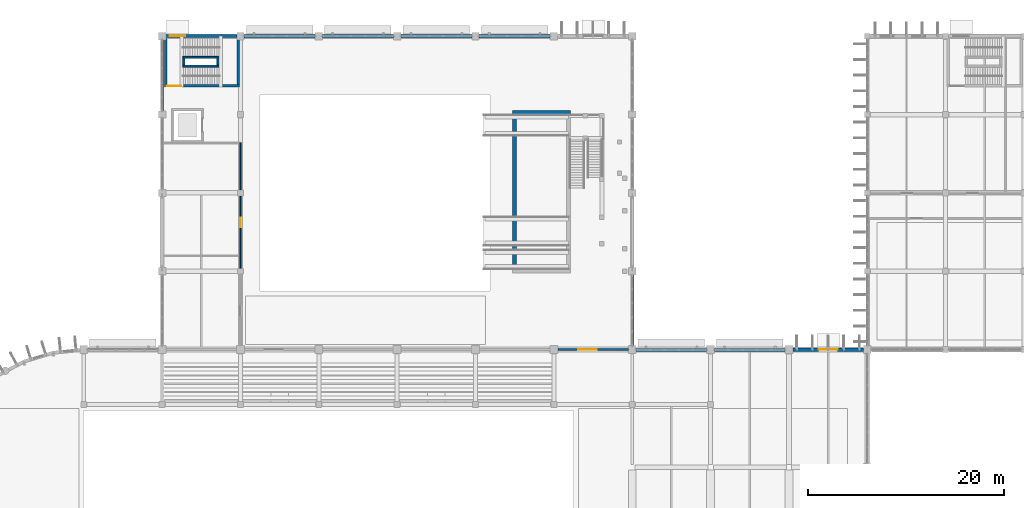
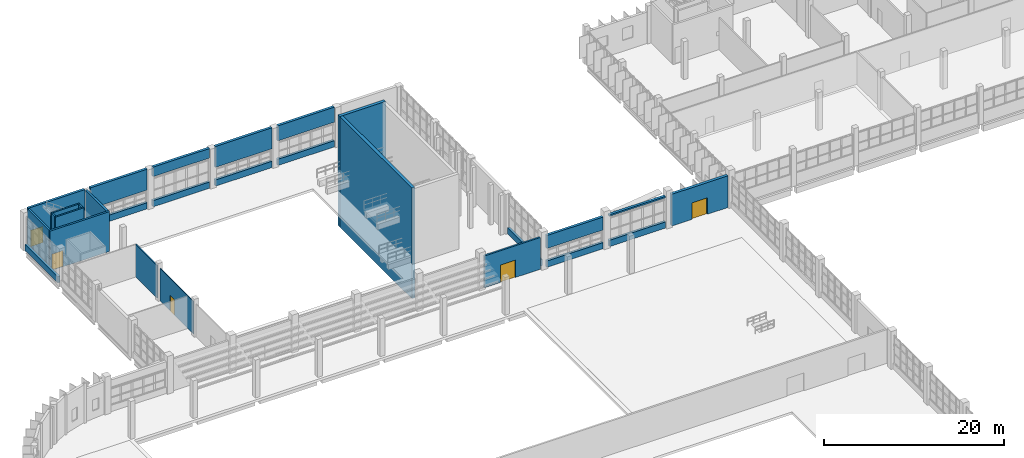
# One storey, part 77 of 103: 28 walls, 5 doors, 5 openings.
"""IFC4 building model written with IfcOpenShell, lengths in metres."""

from ifc_helpers import new_model, si_unit, direction, frame, frame_2d, origin, place, context, subcontext, project, spatial, rectangle, extrude, material, layer, layer_set, type_object, element, fill, save


model = new_model("IFC4")

# Units and contexts
model_context = context("Model", 3, precision=1e-05, world=origin(), true_north=direction((0.0, 1.0)))
body_context = subcontext(model_context, "Body", "Model", "MODEL_VIEW")
ifc_project = project(units=[si_unit("LENGTHUNIT", "METRE"), si_unit("AREAUNIT", "SQUARE_METRE"), si_unit("VOLUMEUNIT", "CUBIC_METRE"), si_unit("PLANEANGLEUNIT", "RADIAN"), si_unit("MASSUNIT", "GRAM", prefix="KILO")], contexts=[model_context])

# Site, building, storey
site_placement = place(None, origin())
site = spatial("IfcSite", under=ifc_project, at=site_placement, CompositionType="ELEMENT")
building_placement = place(site_placement, origin())
building = spatial("IfcBuilding", under=site, at=building_placement, Name="Drelvana Railside Aquatics Centre", CompositionType="ELEMENT")
storey_placement = place(building_placement, origin())
storey = spatial("IfcBuildingStorey", under=building, at=storey_placement, Name="L00", CompositionType="ELEMENT", Elevation=0.0)

# Wall, opening, door
ifc_material_1 = material(Name="Autoclaved aerated concrete masonry", Category="masonry")
ifc_layer_1 = layer(ifc_material_1, 0.22509765625, Name="Autoclaved aerated concrete masonry")
ifc_layer_set_1 = layer_set([ifc_layer_1], Name="Autoclaved aerated concrete masonry")
wall_type_1 = type_object("IfcWallType", Name="WL-COMP-225", PredefinedType="STANDARD", material=ifc_layer_set_1)
wall_1_placement = place(storey_placement, frame((64.402099609375, 84.0, 0.0), z_axis=(0.0, 0.0, 1.0), x_axis=(1.0, 0.0, 0.0)))
wall_1 = element("IfcWall", 1, at=wall_1_placement, inside=storey, type_object=wall_type_1, Name="Pool-Diving Hall compartment wall", PredefinedType="STANDARD", context=body_context, shape_type="SweptSolid", body=[
    extrude(rectangle(XDim=7.19580078125, YDim=0.22509765625, at=frame_2d((3.597900390625, 0.0))), origin(), (0.0, 0.0, 1.0), 4.304931640625),
])
opening_1_placement = place(wall_1_placement, frame((2.097900390625, 0.0, 0.0)))
opening_1 = element("IfcOpeningElement", 2, at=opening_1_placement, cuts=wall_1, Name="Opening D-16-097", PredefinedType="OPENING", context=body_context, shape_type="SweptSolid", body=[
    extrude(rectangle(XDim=1.89990234375, YDim=2.35009765625, at=frame_2d((0.949951171875, 1.175048828125))), frame((0.0, 0.12255859375, 0.0), z_axis=(0.0, -1.0, 0.0), x_axis=(1.0, 0.0, 0.0)), (0.0, 0.0, 1.0), 0.2451171875),
])
ifc_material_2 = material(Name="Concourse compartment double door", Category="wood")
door_type_1 = type_object("IfcDoorType", Name="DR-INT-COMP-1900x2350", OperationType="DOUBLE_DOOR_SINGLE_SWING", PredefinedType="DOOR", material=ifc_material_2)
door_1_placement = place(opening_1_placement, origin())
door_1 = element("IfcDoor", 3, at=door_1_placement, inside=storey, type_object=door_type_1, Name="Diving hall east link door D-16-097", OperationType="DOUBLE_DOOR_SINGLE_SWING", OverallHeight=2.35009765625, OverallWidth=1.89990234375, PredefinedType="DOOR", context=body_context, shape_type="SweptSolid", body=[
    extrude(rectangle(XDim=1.89990234375, YDim=2.35009765625, at=frame_2d((0.949951171875, 1.175048828125))), frame((0.0, 0.02490234375, 0.0), z_axis=(0.0, -1.0, 0.0), x_axis=(1.0, 0.0, 0.0)), (0.0, 0.0, 1.0), 0.050048828125),
])
fill(opening_1, door_1)

ifc_material_3 = material(Name="Concrete C40/50", Category="concrete")
ifc_layer_2 = layer(ifc_material_3, 0.25, Name="Concrete C40/50")
ifc_layer_set_2 = layer_set([ifc_layer_2], Name="Concrete C40/50")
wall_type_2 = type_object("IfcWallType", Name="WL-CORE-250", PredefinedType="SHEAR", material=ifc_layer_set_2)
wall_2_placement = place(storey_placement, frame((24.25, 110.925048828125, 0.0), z_axis=(0.0, 0.0, 1.0), x_axis=(1.0, 0.0, 0.0)))
wall_2 = element("IfcWall", 4, at=wall_2_placement, inside=storey, type_object=wall_type_2, Name="Core 3 North Diving Hall S core wall (L00)", PredefinedType="SHEAR", context=body_context, shape_type="SweptSolid", body=[
    extrude(rectangle(XDim=7.64990234375, YDim=0.25, at=frame_2d((3.824951171875, 0.0))), origin(), (0.0, 0.0, 1.0), 5.39990234375),
])
opening_2_placement = place(wall_2_placement, frame((0.25, 0.0, 0.0)))
opening_2 = element("IfcOpeningElement", 5, at=opening_2_placement, cuts=wall_2, Name="Opening D-01-018", PredefinedType="OPENING", context=body_context, shape_type="SweptSolid", body=[
    extrude(rectangle(XDim=1.449951171875, YDim=2.199951171875, at=frame_2d((0.72509765625, 1.10009765625))), frame((0.0, 0.135009765625, 0.0), z_axis=(0.0, -1.0, 0.0), x_axis=(1.0, 0.0, 0.0)), (0.0, 0.0, 1.0), 0.27001953125),
])
ifc_material_4 = material(Name="Fire-rated steel and vision-panel door", Category="steel")
door_type_2 = type_object("IfcDoorType", Name="DR-INT-STAIR-1450x2200", OperationType="DOUBLE_DOOR_SINGLE_SWING", PredefinedType="DOOR", material=ifc_material_4)
door_2_placement = place(opening_2_placement, origin())
door_2 = element("IfcDoor", 6, at=door_2_placement, inside=storey, type_object=door_type_2, Name="Stair ST-03 lobby door D-01-018", OperationType="DOUBLE_DOOR_SINGLE_SWING", OverallHeight=2.199951171875, OverallWidth=1.449951171875, PredefinedType="DOOR", context=body_context, shape_type="SweptSolid", body=[
    extrude(rectangle(XDim=1.449951171875, YDim=2.199951171875, at=frame_2d((0.72509765625, 1.10009765625))), frame((0.0, 0.02490234375, 0.0), z_axis=(0.0, -1.0, 0.0), x_axis=(1.0, 0.0, 0.0)), (0.0, 0.0, 1.0), 0.050048828125),
])
fill(opening_2, door_2)

# Walls
for number, where, z_axis, x_axis, name in (
    (7, (24.375, 111.050048828125, 0.0), (0.0, 0.0, 1.0), (0.0, 1.0, 0.0), "Core 3 North Diving Hall W core wall (L00)"),
    (8, (31.77490234375, 111.050048828125, 0.0), (0.0, 0.0, 1.0), (0.0, 1.0, 0.0), "Core 3 North Diving Hall E core wall (L00)"),
):
    element("IfcWall", number, at=place(storey_placement, frame(where, z_axis=z_axis, x_axis=x_axis)), inside=storey, type_object=wall_type_2, Name=name, PredefinedType="SHEAR", context=body_context, shape_type="SweptSolid", body=[
        extrude(rectangle(XDim=4.699951171875, YDim=0.25, at=frame_2d((2.35009765625, 0.0))), origin(), (0.0, 0.0, 1.0), 5.39990234375),
    ])

# Wall, opening, door
ifc_layer_3 = layer(ifc_material_3, 0.300048828125, Name="Concrete C40/50")
ifc_layer_set_3 = layer_set([ifc_layer_3], Name="Concrete C40/50")
wall_type_3 = type_object("IfcWallType", Name="WL-CORE-300", PredefinedType="SHEAR", material=ifc_layer_set_3)
wall_3_placement = place(storey_placement, frame((24.37109375, 116.0, 0.0), z_axis=(0.0, 0.0, 1.0), x_axis=(1.0, 0.0, 0.0)))
wall_3 = element("IfcWall", 9, at=wall_3_placement, inside=storey, type_object=wall_type_3, Name="Core 3 north L00 shear wall", PredefinedType="SHEAR", context=body_context, shape_type="SweptSolid", body=[
    extrude(rectangle(XDim=7.2578125, YDim=0.300048828125, at=frame_2d((3.62890625, 0.0))), origin(), (0.0, 0.0, 1.0), 5.39990234375),
])
opening_3_placement = place(wall_3_placement, frame((0.428955078125, 0.0, 0.0)))
opening_3 = element("IfcOpeningElement", 10, at=opening_3_placement, cuts=wall_3, Name="Opening EX-03-004", PredefinedType="OPENING", context=body_context, shape_type="SweptSolid", body=[
    extrude(rectangle(XDim=1.550048828125, YDim=2.199951171875, at=frame_2d((0.77490234375, 1.10009765625))), frame((0.0, 0.159912109375, 0.0), z_axis=(0.0, -1.0, 0.0), x_axis=(1.0, 0.0, 0.0)), (0.0, 0.0, 1.0), 0.320068359375),
])
ifc_material_5 = material(Name="Thermally broken bronze-anodised aluminium and glazed door", Category="aluminium")
door_type_3 = type_object("IfcDoorType", Name="DR-EXT-EXIT-1550x2200", OperationType="DOUBLE_DOOR_SINGLE_SWING", PredefinedType="DOOR", material=ifc_material_5)
door_3_placement = place(opening_3_placement, origin())
door_3 = element("IfcDoor", 11, at=door_3_placement, inside=storey, type_object=door_type_3, Name="Stair ST-03 final exit door EX-03-004", OperationType="DOUBLE_DOOR_SINGLE_SWING", OverallHeight=2.199951171875, OverallWidth=1.550048828125, PredefinedType="DOOR", context=body_context, shape_type="SweptSolid", body=[
    extrude(rectangle(XDim=1.550048828125, YDim=2.199951171875, at=frame_2d((0.77490234375, 1.10009765625))), frame((0.0, 0.02490234375, 0.0), z_axis=(0.0, -1.0, 0.0), x_axis=(1.0, 0.0, 0.0)), (0.0, 0.0, 1.0), 0.050048828125),
])
fill(opening_3, door_3)

ifc_material_6 = material(Name="Acoustic twin-stud gypsum partition", Category="gypsum")
ifc_layer_4 = layer(ifc_material_6, 0.1201171875, Name="Acoustic twin-stud gypsum partition")
ifc_layer_set_4 = layer_set([ifc_layer_4], Name="Acoustic twin-stud gypsum partition")
wall_type_4 = type_object("IfcWallType", Name="WL-DRY-120", PredefinedType="PARTITIONING", material=ifc_layer_set_4)
wall_4_placement = place(storey_placement, frame((32.0, 92.302001953125, 0.0), z_axis=(0.0, 0.0, 1.0), x_axis=(0.0, 1.0, 0.0)))
wall_4 = element("IfcWall", 12, at=wall_4_placement, inside=storey, type_object=wall_type_4, Name="Diving Hall west offices wall", PredefinedType="PARTITIONING", context=body_context, shape_type="SweptSolid", body=[
    extrude(rectangle(XDim=7.39599609375, YDim=0.1201171875, at=frame_2d((3.697998046875, 0.0))), origin(), (0.0, 0.0, 1.0), 4.405029296875),
])
opening_4_placement = place(wall_4_placement, frame((4.197998046875, 0.0, 0.0)))
opening_4 = element("IfcOpeningElement", 13, at=opening_4_placement, cuts=wall_4, Name="Opening D-10-135", PredefinedType="OPENING", context=body_context, shape_type="SweptSolid", body=[
    extrude(rectangle(XDim=0.949951171875, YDim=2.14990234375, at=frame_2d((0.47509765625, 1.074951171875))), frame((0.0, 0.070068359375, 0.0), z_axis=(0.0, -1.0, 0.0), x_axis=(1.0, 0.0, 0.0)), (0.0, 0.0, 1.0), 0.14013671875),
])
ifc_material_7 = material(Name="Timber veneer office door", Category="wood")
door_type_4 = type_object("IfcDoorType", Name="DR-INT-OFF-950x2150", OperationType="NOTDEFINED", PredefinedType="DOOR", material=ifc_material_7)
door_4_placement = place(opening_4_placement, origin())
door_4 = element("IfcDoor", 14, at=door_4_placement, inside=storey, type_object=door_type_4, Name="Timing and Results Control door D-10-135", OperationType="SINGLE_SWING_RIGHT", OverallHeight=2.14990234375, OverallWidth=0.949951171875, PredefinedType="DOOR", context=body_context, shape_type="SweptSolid", body=[
    extrude(rectangle(XDim=0.949951171875, YDim=2.14990234375, at=frame_2d((0.47509765625, 1.074951171875))), frame((0.0, 0.02490234375, 0.0), z_axis=(0.0, -1.0, 0.0), x_axis=(1.0, 0.0, 0.0)), (0.0, 0.0, 1.0), 0.050048828125),
])
fill(opening_4, door_4)

# Walls
wall_5_placement = place(storey_placement, frame((32.0, 100.302001953125, 0.0), z_axis=(0.0, 0.0, 1.0), x_axis=(0.0, 1.0, 0.0)))
element("IfcWall", 15, at=wall_5_placement, inside=storey, type_object=wall_type_4, Name="Diving Hall west offices wall", PredefinedType="PARTITIONING", context=body_context, shape_type="SweptSolid", body=[
    extrude(rectangle(XDim=4.798095703125, YDim=0.1201171875, at=frame_2d((2.39892578125, 0.0))), origin(), (0.0, 0.0, 1.0), 4.405029296875),
])
ifc_layer_5 = layer(ifc_material_3, 0.39990234375, Name="Concrete C40/50")
ifc_layer_set_5 = layer_set([ifc_layer_5], Name="Concrete C40/50")
wall_type_5 = type_object("IfcWallType", Name="WL-DV-400", PredefinedType="SHEAR", material=ifc_layer_set_5)
wall_6_placement = place(storey_placement, frame((60.0, 92.0, -4.800048828125), z_axis=(0.0, 0.0, 1.0), x_axis=(0.0, 1.0, 0.0)))
element("IfcWall", 16, at=wall_6_placement, inside=storey, type_object=wall_type_5, Name="Diving platform tower W shear wall", PredefinedType="SHEAR", context=body_context, shape_type="SweptSolid", body=[
    extrude(rectangle(XDim=16.199951171875, YDim=0.39990234375, at=frame_2d((8.10009765625, 0.0))), origin(), (0.0, 0.0, 1.0), 15.0),
])
wall_7_placement = place(storey_placement, frame((59.800048828125, 108.199951171875, -4.800048828125), z_axis=(0.0, 0.0, 1.0), x_axis=(1.0, 0.0, 0.0)))
element("IfcWall", 17, at=wall_7_placement, inside=storey, type_object=wall_type_5, Name="Diving platform tower N shear wall", PredefinedType="SHEAR", context=body_context, shape_type="SweptSolid", body=[
    extrude(rectangle(XDim=5.89990234375, YDim=0.39990234375, at=frame_2d((2.949951171875, 0.0))), origin(), (0.0, 0.0, 1.0), 15.0),
])
ifc_material_8 = material(Name="Terracotta rainscreen masonry wall", Category="masonry")
ifc_layer_6 = layer(ifc_material_8, 0.31005859375, Name="Terracotta rainscreen masonry wall")
ifc_layer_set_6 = layer_set([ifc_layer_6], Name="Terracotta rainscreen masonry wall")
wall_type_6 = type_object("IfcWallType", Name="WL-EXT-310", PredefinedType="STANDARD", material=ifc_layer_set_6)
wall_8_placement = place(storey_placement, frame((24.0, 108.37109375, 0.0), z_axis=(0.0, 0.0, 1.0), x_axis=(0.0, 1.0, 0.0)))
element("IfcWall", 18, at=wall_8_placement, inside=storey, type_object=wall_type_6, Name="Diving Hall West plinth", PredefinedType="STANDARD", context=body_context, shape_type="SweptSolid", body=[
    extrude(rectangle(XDim=7.2578125, YDim=0.31005859375, at=frame_2d((3.62890625, 0.0))), origin(), (0.0, 0.0, 1.0), 0.85009765625),
])
wall_9_placement = place(storey_placement, frame((72.0, 84.39599609375, 0.0), z_axis=(0.0, 0.0, 1.0), x_axis=(0.0, 1.0, 0.0)))
element("IfcWall", 19, at=wall_9_placement, inside=storey, type_object=wall_type_6, Name="Diving Hall East plinth", PredefinedType="STANDARD", context=body_context, shape_type="SweptSolid", body=[
    extrude(rectangle(XDim=7.23291015625, YDim=0.31005859375, at=frame_2d((3.616455078125, 0.0))), origin(), (0.0, 0.0, 1.0), 0.85009765625),
])
ifc_material_9 = material(Name="Abuja granite ashlar cavity wall", Category="masonry")
ifc_layer_7 = layer(ifc_material_9, 0.330078125, Name="Abuja granite ashlar cavity wall")
ifc_layer_set_7 = layer_set([ifc_layer_7], Name="Abuja granite ashlar cavity wall")
wall_type_7 = type_object("IfcWallType", Name="WL-EXT-330", PredefinedType="STANDARD", material=ifc_layer_set_7)
wall_10_placement = place(storey_placement, frame((72.39599609375, 84.0, 0.0), z_axis=(0.0, 0.0, 1.0), x_axis=(1.0, 0.0, 0.0)))
element("IfcWall", 20, at=wall_10_placement, inside=storey, type_object=wall_type_7, Name="V1N plinth wall 2", PredefinedType="STANDARD", context=body_context, shape_type="SweptSolid", body=[
    extrude(rectangle(XDim=7.2080078125, YDim=0.330078125, at=frame_2d((3.60400390625, 0.0))), origin(), (0.0, 0.0, 1.0), 0.85009765625),
])
wall_11_placement = place(storey_placement, frame((72.39599609375, 84.0, 2.550048828125), z_axis=(0.0, 0.0, 1.0), x_axis=(1.0, 0.0, 0.0)))
element("IfcWall", 21, at=wall_11_placement, inside=storey, type_object=wall_type_7, Name="V1N sine-wave spandrel 2", PredefinedType="STANDARD", context=body_context, shape_type="SweptSolid", body=[
    extrude(rectangle(XDim=7.2080078125, YDim=0.330078125, at=frame_2d((3.60400390625, 0.0))), origin(), (0.0, 0.0, 1.0), 1.7548828125),
])
wall_12_placement = place(storey_placement, frame((80.39599609375, 84.0, 0.0), z_axis=(0.0, 0.0, 1.0), x_axis=(1.0, 0.0, 0.0)))
element("IfcWall", 22, at=wall_12_placement, inside=storey, type_object=wall_type_7, Name="V1N plinth wall 3", PredefinedType="STANDARD", context=body_context, shape_type="SweptSolid", body=[
    extrude(rectangle(XDim=7.2080078125, YDim=0.330078125, at=frame_2d((3.60400390625, 0.0))), origin(), (0.0, 0.0, 1.0), 0.85009765625),
])
wall_13_placement = place(storey_placement, frame((80.39599609375, 84.0, 4.10009765625), z_axis=(0.0, 0.0, 1.0), x_axis=(1.0, 0.0, 0.0)))
element("IfcWall", 23, at=wall_13_placement, inside=storey, type_object=wall_type_7, Name="V1N sine-wave spandrel 3", PredefinedType="STANDARD", context=body_context, shape_type="SweptSolid", body=[
    extrude(rectangle(XDim=7.2080078125, YDim=0.330078125, at=frame_2d((3.60400390625, 0.0))), origin(), (0.0, 0.0, 1.0), 0.204833984375),
])
wall_14_placement = place(storey_placement, frame((32.37109375, 116.0, 0.0), z_axis=(0.0, 0.0, 1.0), x_axis=(1.0, 0.0, 0.0)))
element("IfcWall", 24, at=wall_14_placement, inside=storey, type_object=wall_type_7, Name="V2N plinth wall 6", PredefinedType="STANDARD", context=body_context, shape_type="SweptSolid", body=[
    extrude(rectangle(XDim=7.2578125, YDim=0.330078125, at=frame_2d((3.62890625, 0.0))), origin(), (0.0, 0.0, 1.0), 0.85009765625),
])
wall_15_placement = place(storey_placement, frame((32.37109375, 116.0, 2.550048828125), z_axis=(0.0, 0.0, 1.0), x_axis=(1.0, 0.0, 0.0)))
element("IfcWall", 25, at=wall_15_placement, inside=storey, type_object=wall_type_7, Name="V2N sine-wave spandrel 6", PredefinedType="STANDARD", context=body_context, shape_type="SweptSolid", body=[
    extrude(rectangle(XDim=7.2578125, YDim=0.330078125, at=frame_2d((3.62890625, 0.0))), origin(), (0.0, 0.0, 1.0), 2.83984375),
])
wall_16_placement = place(storey_placement, frame((40.37109375, 116.0, 0.0), z_axis=(0.0, 0.0, 1.0), x_axis=(1.0, 0.0, 0.0)))
element("IfcWall", 26, at=wall_16_placement, inside=storey, type_object=wall_type_7, Name="V2N plinth wall 7", PredefinedType="STANDARD", context=body_context, shape_type="SweptSolid", body=[
    extrude(rectangle(XDim=7.2578125, YDim=0.330078125, at=frame_2d((3.62890625, 0.0))), origin(), (0.0, 0.0, 1.0), 0.85009765625),
])
wall_17_placement = place(storey_placement, frame((40.37109375, 116.0, 4.10009765625), z_axis=(0.0, 0.0, 1.0), x_axis=(1.0, 0.0, 0.0)))
element("IfcWall", 27, at=wall_17_placement, inside=storey, type_object=wall_type_7, Name="V2N sine-wave spandrel 7", PredefinedType="STANDARD", context=body_context, shape_type="SweptSolid", body=[
    extrude(rectangle(XDim=7.2578125, YDim=0.330078125, at=frame_2d((3.62890625, 0.0))), origin(), (0.0, 0.0, 1.0), 1.289794921875),
])
wall_18_placement = place(storey_placement, frame((48.37109375, 116.0, 0.0), z_axis=(0.0, 0.0, 1.0), x_axis=(1.0, 0.0, 0.0)))
element("IfcWall", 28, at=wall_18_placement, inside=storey, type_object=wall_type_7, Name="V2N plinth wall 8", PredefinedType="STANDARD", context=body_context, shape_type="SweptSolid", body=[
    extrude(rectangle(XDim=7.2578125, YDim=0.330078125, at=frame_2d((3.62890625, 0.0))), origin(), (0.0, 0.0, 1.0), 0.85009765625),
])
wall_19_placement = place(storey_placement, frame((48.37109375, 116.0, 2.555908203125), z_axis=(0.0, 0.0, 1.0), x_axis=(1.0, 0.0, 0.0)))
element("IfcWall", 29, at=wall_19_placement, inside=storey, type_object=wall_type_7, Name="V2N sine-wave spandrel 8", PredefinedType="STANDARD", context=body_context, shape_type="SweptSolid", body=[
    extrude(rectangle(XDim=7.2578125, YDim=0.330078125, at=frame_2d((3.62890625, 0.0))), origin(), (0.0, 0.0, 1.0), 2.833984375),
])
wall_20_placement = place(storey_placement, frame((56.37109375, 116.0, 0.0), z_axis=(0.0, 0.0, 1.0), x_axis=(1.0, 0.0, 0.0)))
element("IfcWall", 30, at=wall_20_placement, inside=storey, type_object=wall_type_7, Name="V2N plinth wall 9", PredefinedType="STANDARD", context=body_context, shape_type="SweptSolid", body=[
    extrude(rectangle(XDim=7.2578125, YDim=0.330078125, at=frame_2d((3.62890625, 0.0))), origin(), (0.0, 0.0, 1.0), 0.85009765625),
])
wall_21_placement = place(storey_placement, frame((56.37109375, 116.0, 3.35009765625), z_axis=(0.0, 0.0, 1.0), x_axis=(1.0, 0.0, 0.0)))
element("IfcWall", 31, at=wall_21_placement, inside=storey, type_object=wall_type_7, Name="V2N sine-wave spandrel 9", PredefinedType="STANDARD", context=body_context, shape_type="SweptSolid", body=[
    extrude(rectangle(XDim=7.2578125, YDim=0.330078125, at=frame_2d((3.62890625, 0.0))), origin(), (0.0, 0.0, 1.0), 2.039794921875),
])

# Wall, opening, door
ifc_material_10 = material(Name="Polychrome brick and stone cavity wall", Category="masonry")
ifc_layer_8 = layer(ifc_material_10, 0.360107421875, Name="Polychrome brick and stone cavity wall")
ifc_layer_set_8 = layer_set([ifc_layer_8], Name="Polychrome brick and stone cavity wall")
wall_type_8 = type_object("IfcWallType", Name="WL-EXT-360", PredefinedType="STANDARD", material=ifc_layer_set_8)
wall_22_placement = place(storey_placement, frame((88.39599609375, 84.0, 0.0), z_axis=(0.0, 0.0, 1.0), x_axis=(1.0, 0.0, 0.0)))
wall_22 = element("IfcWall", 32, at=wall_22_placement, inside=storey, type_object=wall_type_8, Name="V1N exit bay wall 4", PredefinedType="STANDARD", context=body_context, shape_type="SweptSolid", body=[
    extrude(rectangle(XDim=7.2080078125, YDim=0.360107421875, at=frame_2d((3.60400390625, 0.0))), origin(), (0.0, 0.0, 1.0), 4.304931640625),
])
opening_5_placement = place(wall_22_placement, frame((2.62890625, 0.0, 0.0)))
opening_5 = element("IfcOpeningElement", 33, at=opening_5_placement, cuts=wall_22, Name="Opening EX-04-003", PredefinedType="OPENING", context=body_context, shape_type="SweptSolid", body=[
    extrude(rectangle(XDim=1.949951171875, YDim=2.25, at=frame_2d((0.97509765625, 1.125))), frame((0.0, 0.18994140625, 0.0), z_axis=(0.0, -1.0, 0.0), x_axis=(1.0, 0.0, 0.0)), (0.0, 0.0, 1.0), 0.380126953125),
])
door_type_5 = type_object("IfcDoorType", Name="DR-EXT-EXIT-1950x2250", OperationType="DOUBLE_DOOR_SINGLE_SWING", PredefinedType="DOOR", material=ifc_material_5)
door_5_placement = place(opening_5_placement, origin())
door_5 = element("IfcDoor", 34, at=door_5_placement, inside=storey, type_object=door_type_5, Name="North hall exit door EX-04-003", OperationType="DOUBLE_DOOR_SINGLE_SWING", OverallHeight=2.25, OverallWidth=1.949951171875, PredefinedType="DOOR", context=body_context, shape_type="SweptSolid", body=[
    extrude(rectangle(XDim=1.949951171875, YDim=2.25, at=frame_2d((0.97509765625, 1.125))), frame((0.0, 0.02490234375, 0.0), z_axis=(0.0, -1.0, 0.0), x_axis=(1.0, 0.0, 0.0)), (0.0, 0.0, 1.0), 0.050048828125),
])
fill(opening_5, door_5)

# Walls
ifc_layer_9 = layer(ifc_material_3, 0.199951171875, Name="Concrete C40/50")
ifc_layer_set_9 = layer_set([ifc_layer_9], Name="Concrete C40/50")
wall_type_9 = type_object("IfcWallType", Name="WL-SHFT-200", PredefinedType="SHEAR", material=ifc_layer_set_9)
for number, where, z_axis, x_axis, name in (
    (35, (26.1201171875, 112.949951171875, 0.0), (0.0, 0.0, 1.0), (1.0, 0.0, 0.0), "Stair ST-03 central spine wall A (L00)"),
    (36, (26.1201171875, 113.85009765625, 0.0), (0.0, 0.0, 1.0), (1.0, 0.0, 0.0), "Stair ST-03 central spine wall B (L00)"),
):
    element("IfcWall", number, at=place(storey_placement, frame(where, z_axis=z_axis, x_axis=x_axis)), inside=storey, type_object=wall_type_9, Name=name, PredefinedType="SHEAR", context=body_context, shape_type="SweptSolid", body=[
        extrude(rectangle(XDim=3.669921875, YDim=0.199951171875, at=frame_2d((1.8349609375, 0.0))), origin(), (0.0, 0.0, 1.0), 5.39990234375),
    ])
for number, where, z_axis, x_axis, name in (
    (37, (26.219970703125, 113.050048828125, 0.0), (0.0, 0.0, 1.0), (0.0, 1.0, 0.0), "Stair ST-03 central spine wall W (L00)"),
    (38, (29.68994140625, 113.050048828125, 0.0), (0.0, 0.0, 1.0), (0.0, 1.0, 0.0), "Stair ST-03 central spine wall E (L00)"),
):
    element("IfcWall", number, at=place(storey_placement, frame(where, z_axis=z_axis, x_axis=x_axis)), inside=storey, type_object=wall_type_9, Name=name, PredefinedType="SHEAR", context=body_context, shape_type="SweptSolid", body=[
        extrude(rectangle(XDim=0.699951171875, YDim=0.199951171875, at=frame_2d((0.35009765625, 0.0))), origin(), (0.0, 0.0, 1.0), 5.39990234375),
    ])

save(model, "model.ifc")
